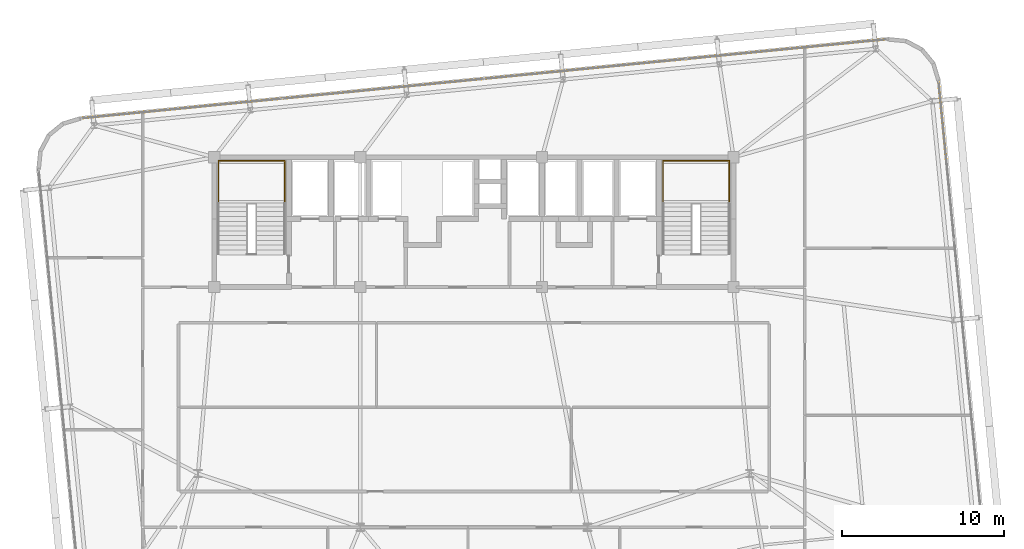
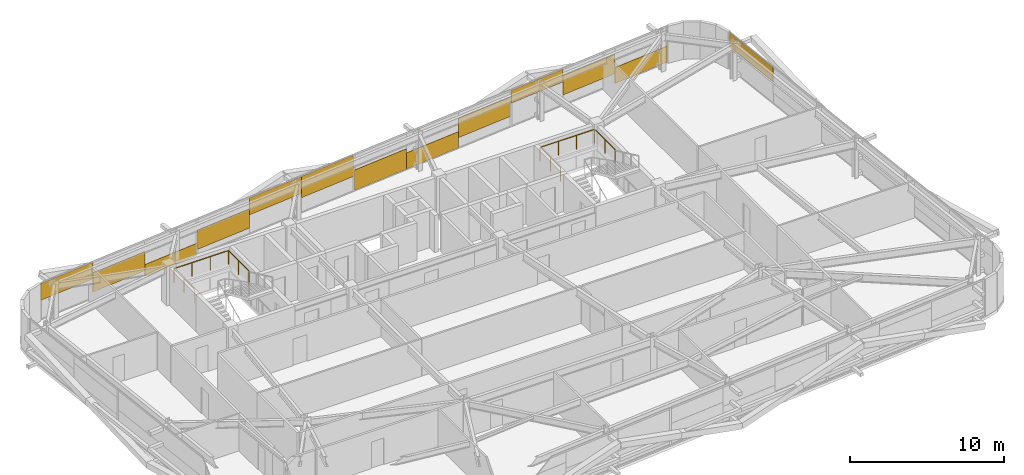
# One storey, part 47 of 47: 13 coverings, 2 railings.
"""IFC4 building model written with IfcOpenShell, lengths in metres."""

from ifc_helpers import new_model, si_unit, direction, frame, origin, origin_2d, place, context, subcontext, project, spatial, rectangle, extrude, source, transform, mapped, material, layer, layer_set, type_object, element, save


model = new_model("IFC4")

# Units and contexts
model_context = context("Model", 3, precision=1e-05, world=origin(), true_north=direction((0.0, 1.0)))
body_context = subcontext(model_context, "Body", "Model", "MODEL_VIEW")
ifc_project = project(units=[si_unit("LENGTHUNIT", "METRE"), si_unit("AREAUNIT", "SQUARE_METRE"), si_unit("VOLUMEUNIT", "CUBIC_METRE"), si_unit("PLANEANGLEUNIT", "RADIAN"), si_unit("MASSUNIT", "GRAM", prefix="KILO")], contexts=[model_context])

# Site, building, storey
site_placement = place(None, origin())
site = spatial("IfcSite", under=ifc_project, at=site_placement, CompositionType="ELEMENT")
building_placement = place(site_placement, origin())
building = spatial("IfcBuilding", under=site, at=building_placement, Name="Taldren Reach Tower", CompositionType="ELEMENT")
storey_placement = place(building_placement, frame((0.0, 0.0, 90.300048828125)))
storey = spatial("IfcBuildingStorey", under=building, at=storey_placement, Name="L27", CompositionType="ELEMENT", Elevation=90.300048828125)

# Railings
ifc_material_1 = material(Name="Steel Gr 350 (C350L0)", Category="steel")
ifc_layer_1 = layer(ifc_material_1, 0.050048828125)
ifc_layer_set_1 = layer_set([ifc_layer_1], Name="Steel Gr 350 (C350L0)")
railing_type = type_object("IfcRailingType", Name="RL-STAIR-GR", PredefinedType="GUARDRAIL", material=ifc_layer_set_1)
for number, where, name in (
    (1, (19.260009765625, 29.135009765625, 1.574951171875), "Stair half-landing perimeter guard ST1-L27"),
    (2, (46.659912109375, 29.135009765625, 1.574951171875), "Stair half-landing perimeter guard ST2-L27"),
):
    element("IfcRailing", number, at=place(storey_placement, frame(where)), inside=storey, type_object=railing_type, Name=name, PredefinedType="GUARDRAIL", context=body_context, shape_type="SweptSolid", body=[
        extrude(rectangle(XDim=0.047852, YDim=0.047852, at=origin_2d()), frame((0.0, 0.0, 1.09619140625), z_axis=(0.0, 1.0, 0.0), x_axis=(-1.0, 0.0, 0.0)), (0.0, 0.0, 1.0), 2.64501953125),
        extrude(rectangle(XDim=0.047852, YDim=0.047852, at=origin_2d()), frame((0.0, 2.64501953125, 1.09619140625), z_axis=(1.0, 0.0, 0.0), x_axis=(0.0, 1.0, 0.0)), (0.0, 0.0, 1.0), 4.080078125),
        extrude(rectangle(XDim=0.047852, YDim=0.047852, at=origin_2d()), frame((4.080078125, 2.64501953125, 1.09619140625), z_axis=(0.0, -1.0, 0.0), x_axis=(1.0, 0.0, 0.0)), (0.0, 0.0, 1.0), 2.64501953125),
        extrude(rectangle(XDim=0.041992, YDim=0.041992, at=origin_2d()), origin(), (0.0, 0.0, 1.0), 1.072021484375),
        extrude(rectangle(XDim=0.041992, YDim=0.041992, at=origin_2d()), frame((0.0, 1.322509765625, 0.0)), (0.0, 0.0, 1.0), 1.072021484375),
        extrude(rectangle(XDim=0.041992, YDim=0.041992, at=origin_2d()), frame((0.0, 2.64501953125, 0.0)), (0.0, 0.0, 1.0), 1.072021484375),
        extrude(rectangle(XDim=0.041992, YDim=0.041992, at=origin_2d()), frame((1.360107421875, 2.64501953125, 0.0)), (0.0, 0.0, 1.0), 1.072021484375),
        extrude(rectangle(XDim=0.041992, YDim=0.041992, at=origin_2d()), frame((2.719970703125, 2.64501953125, 0.0)), (0.0, 0.0, 1.0), 1.072021484375),
        extrude(rectangle(XDim=0.041992, YDim=0.041992, at=origin_2d()), frame((4.080078125, 2.64501953125, 0.0)), (0.0, 0.0, 1.0), 1.072021484375),
        extrude(rectangle(XDim=0.041992, YDim=0.041992, at=origin_2d()), frame((4.080078125, 1.322509765625, 0.0)), (0.0, 0.0, 1.0), 1.072021484375),
        extrude(rectangle(XDim=0.041992, YDim=0.041992, at=origin_2d()), frame((4.080078125, 0.0, 0.0)), (0.0, 0.0, 1.0), 1.072021484375),
    ])

# Coverings
ifc_material_2 = material(Name="Pale Champagne Fluoropolymer Aluminium Spandrel Cladding", Category="aluminium")
ifc_layer_2 = layer(ifc_material_2, 0.0439453125)
ifc_layer_set_2 = layer_set([ifc_layer_2], Name="Pale Champagne Fluoropolymer Aluminium Spandrel Cladding")
covering_type = type_object("IfcCoveringType", Name="CV-CLAD-044", PredefinedType="CLADDING", material=ifc_layer_set_2)
shared_shape_1 = source(origin(), body_context, "Body", "SweptSolid", [
    extrude(rectangle(XDim=4.13427734375, YDim=0.0439453125, at=origin_2d()), origin(), (0.0, 0.0, 1.0), 1.260498046875),
])
covering_1_placement = place(storey_placement, frame((58.390380859375, 39.057373046875, 0.0546875), z_axis=(0.0, 0.0, 1.0), x_axis=(-0.995227390247, -0.097582999046, 0.0)))
element("IfcCovering", 3, at=covering_1_placement, inside=storey, type_object=covering_type, Name="Diagrid closure cladding strip CW-3 panel 1.1 1", PredefinedType="CLADDING", context=body_context, shape_type="MappedRepresentation", body=[
    mapped(shared_shape_1, transform((0.0, 0.0, 0.0), scale=1.0)),
])
shared_shape_2 = source(origin(), body_context, "Body", "SweptSolid", [
    extrude(rectangle(XDim=4.13427734375, YDim=0.0439453125, at=origin_2d()), origin(), (0.0, 0.0, 1.0), 1.52197265625),
])
for number, where, z_axis, x_axis, name in (
    (4, (54.27587890625, 38.654052734375, 0.8310546875), (0.0, 0.0, 1.0), (-0.995227390247, -0.097582999046, 0.0), "Diagrid closure cladding strip CW-3 panel 1.1 2"),
    (5, (16.9873046875, 34.997802734375, 0.516845703125), (0.0, 0.0, 1.0), (-0.995227390247, -0.097582999046, 0.0), "Diagrid closure cladding strip CW-3 panel 4.1 2"),
):
    element("IfcCovering", number, at=place(storey_placement, frame(where, z_axis=z_axis, x_axis=x_axis)), inside=storey, type_object=covering_type, Name=name, PredefinedType="CLADDING", context=body_context, shape_type="MappedRepresentation", body=[
        mapped(shared_shape_2, transform((0.0, 0.0, 0.0), scale=1.0)),
    ])
shared_shape_3 = source(origin(), body_context, "Body", "SweptSolid", [
    extrude(rectangle(XDim=4.13427734375, YDim=0.0439453125, at=origin_2d()), origin(), (0.0, 0.0, 1.0), 1.006103515625),
])
covering_2_placement = place(storey_placement, frame((50.161376953125, 38.250732421875, 1.86865234375), z_axis=(0.0, 0.0, 1.0), x_axis=(-0.995227390247, -0.097582999046, 0.0)))
element("IfcCovering", 6, at=covering_2_placement, inside=storey, type_object=covering_type, Name="Diagrid closure cladding strip CW-3 panel 1.1 3", PredefinedType="CLADDING", context=body_context, shape_type="MappedRepresentation", body=[
    mapped(shared_shape_3, transform((0.0, 0.0, 0.0), scale=1.0)),
])
shared_shape_4 = source(origin(), body_context, "Body", "SweptSolid", [
    extrude(rectangle(XDim=4.14501953125, YDim=0.0439453125, at=origin_2d()), origin(), (0.0, 0.0, 1.0), 1.52490234375),
])
for number, where, z_axis, x_axis, name in (
    (7, (45.97705078125, 37.84033203125, 0.85205078125), (0.0, 0.0, 1.0), (-0.995227390247, -0.097582999046, 0.0), "Diagrid closure cladding strip CW-3 panel 2.1 1"),
    (8, (25.2861328125, 35.8115234375, 0.492919921875), (0.0, 0.0, 1.0), (-0.995227390247, -0.097582999046, 0.0), "Diagrid closure cladding strip CW-3 panel 3.1 3"),
):
    element("IfcCovering", number, at=place(storey_placement, frame(where, z_axis=z_axis, x_axis=x_axis)), inside=storey, type_object=covering_type, Name=name, PredefinedType="CLADDING", context=body_context, shape_type="MappedRepresentation", body=[
        mapped(shared_shape_4, transform((0.0, 0.0, 0.0), scale=1.0)),
    ])
shared_shape_5 = source(origin(), body_context, "Body", "SweptSolid", [
    extrude(rectangle(XDim=4.14501953125, YDim=0.0439453125, at=origin_2d()), origin(), (0.0, 0.0, 1.0), 1.28125),
])
covering_3_placement = place(storey_placement, frame((41.851806640625, 37.435791015625, 0.054931640625), z_axis=(0.0, 0.0, 1.0), x_axis=(-0.995227390247, -0.097582999046, 0.0)))
element("IfcCovering", 9, at=covering_3_placement, inside=storey, type_object=covering_type, Name="Diagrid closure cladding strip CW-3 panel 2.1 2", PredefinedType="CLADDING", context=body_context, shape_type="MappedRepresentation", body=[
    mapped(shared_shape_5, transform((0.0, 0.0, 0.0), scale=1.0)),
])
shared_shape_6 = source(origin(), body_context, "Body", "SweptSolid", [
    extrude(rectangle(XDim=4.14501953125, YDim=0.0439453125, at=origin_2d()), origin(), (0.0, 0.0, 1.0), 1.614013671875),
])
covering_4_placement = place(storey_placement, frame((37.7265625, 37.03125, 0.05517578125), z_axis=(0.0, 0.0, 1.0), x_axis=(-0.995227390247, -0.097582999046, 0.0)))
element("IfcCovering", 10, at=covering_4_placement, inside=storey, type_object=covering_type, Name="Diagrid closure cladding strip CW-3 panel 2.1 3", PredefinedType="CLADDING", context=body_context, shape_type="MappedRepresentation", body=[
    mapped(shared_shape_6, transform((0.0, 0.0, 0.0), scale=1.0)),
])
shared_shape_7 = source(origin(), body_context, "Body", "SweptSolid", [
    extrude(rectangle(XDim=4.14501953125, YDim=0.0439453125, at=origin_2d()), origin(), (0.0, 0.0, 1.0), 1.674072265625),
])
covering_5_placement = place(storey_placement, frame((33.53662109375, 36.62060546875, 1.20068359375), z_axis=(0.0, 0.0, 1.0), x_axis=(-0.995227390247, -0.097582999046, 0.0)))
element("IfcCovering", 11, at=covering_5_placement, inside=storey, type_object=covering_type, Name="Diagrid closure cladding strip CW-3 panel 3.1 1", PredefinedType="CLADDING", context=body_context, shape_type="MappedRepresentation", body=[
    mapped(shared_shape_7, transform((0.0, 0.0, 0.0), scale=1.0)),
])
shared_shape_8 = source(origin(), body_context, "Body", "SweptSolid", [
    extrude(rectangle(XDim=4.14501953125, YDim=0.0439453125, at=origin_2d()), origin(), (0.0, 0.0, 1.0), 1.34130859375),
])
covering_6_placement = place(storey_placement, frame((29.411376953125, 36.216064453125, 1.53369140625), z_axis=(0.0, 0.0, 1.0), x_axis=(-0.995227390247, -0.097582999046, 0.0)))
element("IfcCovering", 12, at=covering_6_placement, inside=storey, type_object=covering_type, Name="Diagrid closure cladding strip CW-3 panel 3.1 2", PredefinedType="CLADDING", context=body_context, shape_type="MappedRepresentation", body=[
    mapped(shared_shape_8, transform((0.0, 0.0, 0.0), scale=1.0)),
])
shared_shape_9 = source(origin(), body_context, "Body", "SweptSolid", [
    extrude(rectangle(XDim=4.13427734375, YDim=0.0439453125, at=origin_2d()), origin(), (0.0, 0.0, 1.0), 0.946044921875),
])
covering_7_placement = place(storey_placement, frame((21.1015625, 35.4013671875, 0.05517578125), z_axis=(0.0, 0.0, 1.0), x_axis=(-0.995227390247, -0.097582999046, 0.0)))
element("IfcCovering", 13, at=covering_7_placement, inside=storey, type_object=covering_type, Name="Diagrid closure cladding strip CW-3 panel 4.1 1", PredefinedType="CLADDING", context=body_context, shape_type="MappedRepresentation", body=[
    mapped(shared_shape_9, transform((0.0, 0.0, 0.0), scale=1.0)),
])
shared_shape_10 = source(origin(), body_context, "Body", "SweptSolid", [
    extrude(rectangle(XDim=4.13427734375, YDim=0.0439453125, at=origin_2d()), origin(), (0.0, 0.0, 1.0), 1.320556640625),
])
covering_8_placement = place(storey_placement, frame((12.872802734375, 34.594482421875, 1.5546875), z_axis=(0.0, 0.0, 1.0), x_axis=(-0.995227390247, -0.097582999046, 0.0)))
element("IfcCovering", 14, at=covering_8_placement, inside=storey, type_object=covering_type, Name="Diagrid closure cladding strip CW-3 panel 4.1 3", PredefinedType="CLADDING", context=body_context, shape_type="MappedRepresentation", body=[
    mapped(shared_shape_10, transform((0.0, 0.0, 0.0), scale=1.0)),
])
shared_shape_11 = source(origin(), body_context, "Body", "SweptSolid", [
    extrude(rectangle(XDim=4.867919921875, YDim=0.0439453125, at=origin_2d()), origin(), (0.0, 0.0, 1.0), 1.133056640625),
])
covering_9_placement = place(storey_placement, frame((63.881591796875, 34.211181640625, 1.74169921875), z_axis=(0.0, 0.0, 1.0), x_axis=(-0.09758274098, 0.99522741555, 0.0)))
element("IfcCovering", 15, at=covering_9_placement, inside=storey, type_object=covering_type, Name="Diagrid closure cladding strip CW-3 panel 3.1 2", PredefinedType="CLADDING", context=body_context, shape_type="MappedRepresentation", body=[
    mapped(shared_shape_11, transform((0.0, 0.0, 0.0), scale=1.0)),
])

save(model, "model.ifc")
